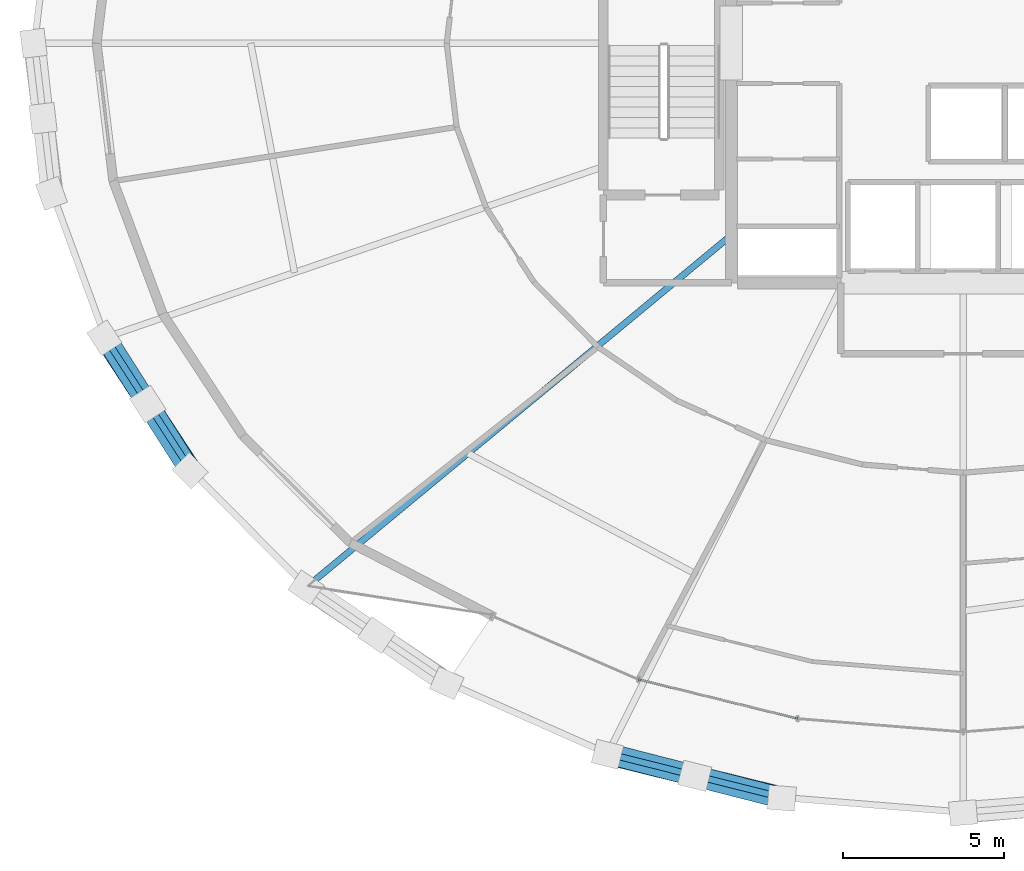
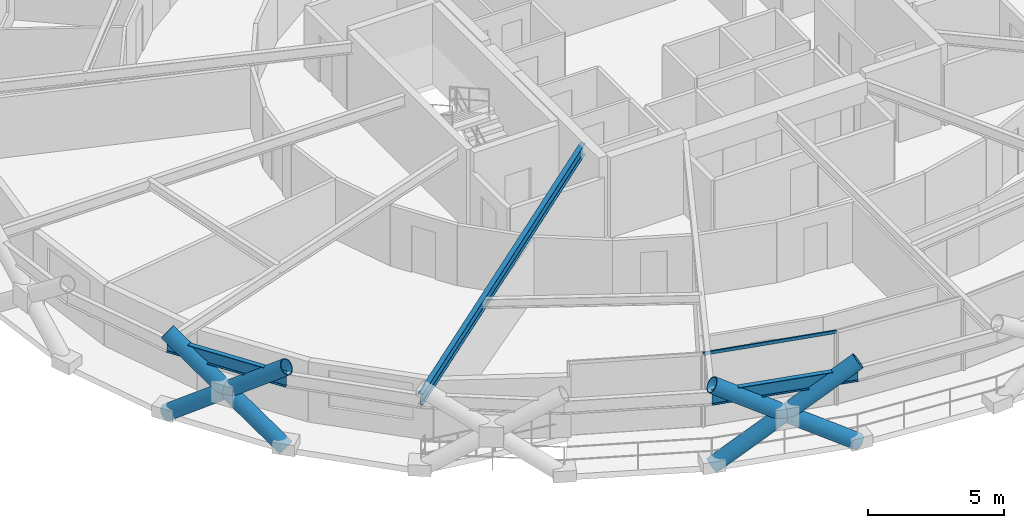
# One storey, part 2 of 23: 7 members, 3 beams, 1 element without a shape of its own.
"""IFC4 building model written with IfcOpenShell, lengths in metres."""

from ifc_helpers import new_model, si_unit, direction, frame, origin, origin_2d, place, context, subcontext, project, spatial, hollow_rectangle, hollow_circle, i_section, extrude, material, layer, layer_set, material_profile, profile_set, type_object, element, aggregate, save


model = new_model("IFC4")

# Units and contexts
model_context = context("Model", 3, precision=1e-05, world=origin(), true_north=direction((0.0, 1.0)))
body_context = subcontext(model_context, "Body", "Model", "MODEL_VIEW")
ifc_project = project(units=[si_unit("LENGTHUNIT", "METRE"), si_unit("AREAUNIT", "SQUARE_METRE"), si_unit("VOLUMEUNIT", "CUBIC_METRE"), si_unit("PLANEANGLEUNIT", "RADIAN"), si_unit("MASSUNIT", "GRAM", prefix="KILO")], contexts=[model_context])

# Site, building, storey
site_placement = place(None, origin())
site = spatial("IfcSite", under=ifc_project, at=site_placement, CompositionType="ELEMENT")
building_placement = place(site_placement, origin())
building = spatial("IfcBuilding", under=site, at=building_placement, Name="Veldorina Hangang Commons", CompositionType="ELEMENT")
storey_placement = place(building_placement, frame((0.0, 0.0, 95.199951171875)))
storey = spatial("IfcBuildingStorey", under=building, at=storey_placement, Name="L24", CompositionType="ELEMENT", Elevation=95.199951171875)

# Beams
ifc_material_1 = material(Name="Steel SM420-TMC", Category="steel")
ifc_material_profile_1 = material_profile(ifc_material_1, i_section(OverallWidth=0.199951171875, OverallDepth=0.5, WebThickness=0.010009765625, FlangeThickness=0.01611328125, FilletRadius=0.01611328125, at=origin_2d()), Name="H-500x200x10x16")
ifc_profile_set_1 = profile_set([ifc_material_profile_1], Name="Steel SM420-TMC")
beam_type_1 = type_object("IfcBeamType", Name="BM-FG500", PredefinedType="BEAM", material=ifc_profile_set_1)
beam_1_placement = place(storey_placement, frame((24.800048828125, 18.036865234375, 3.090087890625), z_axis=(-0.77016302698, -0.637847091295, 0.0), x_axis=(0.637847091295, -0.77016302698, 0.0)))
element("IfcBeam", 1, at=beam_1_placement, inside=storey, type_object=beam_type_1, Name="L24 radial floor girder 11", PredefinedType="BEAM", context=body_context, shape_type="SweptSolid", body=[
    extrude(i_section(OverallWidth=0.199951171875, OverallDepth=0.5, WebThickness=0.010009765625, FlangeThickness=0.01611328125, FilletRadius=0.01611328125, at=origin_2d()), origin(), (0.0, 0.0, 1.0), 17.148681640625),
])
ifc_material_profile_2 = material_profile(ifc_material_1, i_section(OverallWidth=0.199951171875, OverallDepth=0.60009765625, WebThickness=0.010986328125, FlangeThickness=0.01708984375, FilletRadius=0.01806640625, at=origin_2d()), Name="H-600x200x11x17")
ifc_profile_set_2 = profile_set([ifc_material_profile_2], Name="Steel SM420-TMC")
beam_type_2 = type_object("IfcBeamType", Name="BM-RB600", PredefinedType="BEAM", material=ifc_profile_set_2)
beam_2_placement = place(storey_placement, frame((5.336669921875, 14.85302734375, 3.0400390625), z_axis=(0.542232020533, -0.840228799738, 0.0), x_axis=(0.840228799738, 0.542232020533, 0.0)))
element("IfcBeam", 2, at=beam_2_placement, inside=storey, type_object=beam_type_2, Name="L24 perimeter hoop ring beam 18", PredefinedType="BEAM", context=body_context, shape_type="SweptSolid", body=[
    extrude(i_section(OverallWidth=0.199951171875, OverallDepth=0.60009765625, WebThickness=0.010986328125, FlangeThickness=0.01708984375, FilletRadius=0.01806640625, at=origin_2d()), origin(), (0.0, 0.0, 1.0), 4.918212890625),
])
beam_3_placement = place(storey_placement, frame((20.955810546875, 1.917236328125, 3.0400390625), z_axis=(0.969861422199, -0.243657180747, 0.0), x_axis=(0.243657180747, 0.969861422199, 0.0)))
element("IfcBeam", 3, at=beam_3_placement, inside=storey, type_object=beam_type_2, Name="L24 perimeter hoop ring beam 22", PredefinedType="BEAM", context=body_context, shape_type="SweptSolid", body=[
    extrude(i_section(OverallWidth=0.199951171875, OverallDepth=0.60009765625, WebThickness=0.010986328125, FlangeThickness=0.01708984375, FilletRadius=0.01806640625, at=origin_2d()), origin(), (0.0, 0.0, 1.0), 5.58203125),
])

# Curtain wall, member
ifc_material_2 = material(Name="Glass Low-E Triple IGU", Category="glass")
ifc_layer = layer(ifc_material_2, 0.179931640625)
ifc_layer_set = layer_set([ifc_layer], Name="Glass Low-E Triple IGU")
curtain_wall_type = type_object("IfcCurtainWallType", Name="CW-SYS-Z1", PredefinedType="NOTDEFINED", material=ifc_layer_set)
curtain_wall_placement = place(storey_placement, origin())
curtain_wall = element("IfcCurtainWall", 4, at=curtain_wall_placement, inside=storey, type_object=curtain_wall_type, Name="L24 unitised curtain wall CW-L24-R1", PredefinedType="NOTDEFINED")
ifc_material_3 = material(Name="Aluminium Anodized AA6063-T6", Category="aluminium")
ifc_material_profile_3 = material_profile(ifc_material_3, hollow_rectangle(XDim=0.06005859375, YDim=0.139892578125, WallThickness=0.00341796875, at=origin_2d()), Name="ALU-RHS-140x60x3.5")
ifc_profile_set_3 = profile_set([ifc_material_profile_3], Name="Aluminium Anodized AA6063-T6")
member_type_1 = type_object("IfcMemberType", Name="CW-TRN-140", PredefinedType="USERDEFINED", material=ifc_profile_set_3)
member_1_placement = place(storey_placement, frame((21.908935546875, 4.226806640625, 3.260009765625), z_axis=(0.970998963329, -0.239083694998, 0.0), x_axis=(0.239083694998, 0.970998963329, 0.0)))
member_1 = element("IfcMember", 5, at=member_1_placement, type_object=member_type_1, Name="CW-L24-R1 facet 2 transom 1", ObjectType="TRANSOM", PredefinedType="USERDEFINED", context=body_context, shape_type="SweptSolid", body=[
    extrude(hollow_rectangle(XDim=0.06005859375, YDim=0.139892578125, WallThickness=0.00341796875, at=origin_2d()), origin(), (0.0, 0.0, 1.0), 5.094482421875),
])
aggregate(curtain_wall, [member_1])

# Members
ifc_material_4 = material(Name="Steel SM460-TMC", Category="steel")
ifc_material_profile_4 = material_profile(ifc_material_4, hollow_circle(Radius=0.324951171875, WallThickness=0.031982421875, at=origin_2d()), Name="CHS-650x32")
ifc_profile_set_4 = profile_set([ifc_material_profile_4], Name="Steel SM460-TMC")
member_type_2 = type_object("IfcMemberType", Name="DG-CHS650", PredefinedType="BRACE", material=ifc_profile_set_4)
member_2_placement = place(storey_placement, frame((5.31005859375, 14.84521484375, 0.0), z_axis=(0.442111775742, -0.675610809519, 0.589989162452), x_axis=(0.836761788065, 0.547567082679, 0.0)))
element("IfcMember", 6, at=member_2_placement, inside=storey, type_object=member_type_2, Name="L24 continuous perimeter diagrid brace 18", PredefinedType="BRACE", context=body_context, shape_type="SweptSolid", body=[
    extrude(hollow_circle(Radius=0.324951171875, WallThickness=0.031982421875, at=origin_2d()), origin(), (0.0, 0.0, 1.0), 6.10205078125),
])
member_3_placement = place(storey_placement, frame((7.9794921875, 10.70947265625, 0.0), z_axis=(-0.433137462482, 0.680472894721, 0.591057169946), x_axis=(-0.843600132036, -0.536971896125, 0.0)))
element("IfcMember", 7, at=member_3_placement, inside=storey, type_object=member_type_2, Name="L24 split perimeter diagrid lower brace 19", PredefinedType="BRACE", context=body_context, shape_type="SweptSolid", body=[
    extrude(hollow_circle(Radius=0.324951171875, WallThickness=0.031982421875, at=origin_2d()), origin(), (0.0, 0.0, 1.0), 3.047119140625),
])
member_4_placement = place(storey_placement, frame((6.65966796875, 12.782958984375, 1.801025390625), z_axis=(-0.433034733141, 0.680551900483, 0.591041479629), x_axis=(-0.843686052563, -0.536836888366, 0.0)))
element("IfcMember", 8, at=member_4_placement, inside=storey, type_object=member_type_2, Name="L24 split perimeter diagrid upper brace 19", PredefinedType="BRACE", context=body_context, shape_type="SweptSolid", body=[
    extrude(hollow_circle(Radius=0.324951171875, WallThickness=0.031982421875, at=origin_2d()), origin(), (0.0, 0.0, 1.0), 3.0439453125),
])
member_5_placement = place(storey_placement, frame((20.944580078125, 1.898681640625, 0.0), z_axis=(0.816221439818, -0.201255050178, 0.541552366774), x_axis=(0.239399246107, 0.970921212542, 0.0)))
element("IfcMember", 9, at=member_5_placement, inside=storey, type_object=member_type_2, Name="L24 continuous perimeter diagrid brace 22", PredefinedType="BRACE", context=body_context, shape_type="SweptSolid", body=[
    extrude(hollow_circle(Radius=0.324951171875, WallThickness=0.031982421875, at=origin_2d()), origin(), (0.0, 0.0, 1.0), 6.647705078125),
])
member_6_placement = place(storey_placement, frame((26.364013671875, 0.537353515625, 0.0), z_axis=(-0.814080867469, 0.208241283366, 0.542132741239), x_axis=(-0.247819889032, -0.968806122297, 0.0)))
element("IfcMember", 10, at=member_6_placement, inside=storey, type_object=member_type_2, Name="L24 split perimeter diagrid lower brace 23", PredefinedType="BRACE", context=body_context, shape_type="SweptSolid", body=[
    extrude(hollow_circle(Radius=0.324951171875, WallThickness=0.031982421875, at=origin_2d()), origin(), (0.0, 0.0, 1.0), 3.322509765625),
])
member_7_placement = place(storey_placement, frame((23.6591796875, 1.229248046875, 1.80126953125), z_axis=(-0.814083114978, 0.208358190837, 0.542084445653), x_axis=(-0.247949822435, -0.968772876145, 0.0)))
element("IfcMember", 11, at=member_7_placement, inside=storey, type_object=member_type_2, Name="L24 split perimeter diagrid upper brace 23", PredefinedType="BRACE", context=body_context, shape_type="SweptSolid", body=[
    extrude(hollow_circle(Radius=0.324951171875, WallThickness=0.031982421875, at=origin_2d()), origin(), (0.0, 0.0, 1.0), 3.318359375),
])

save(model, "model.ifc")
